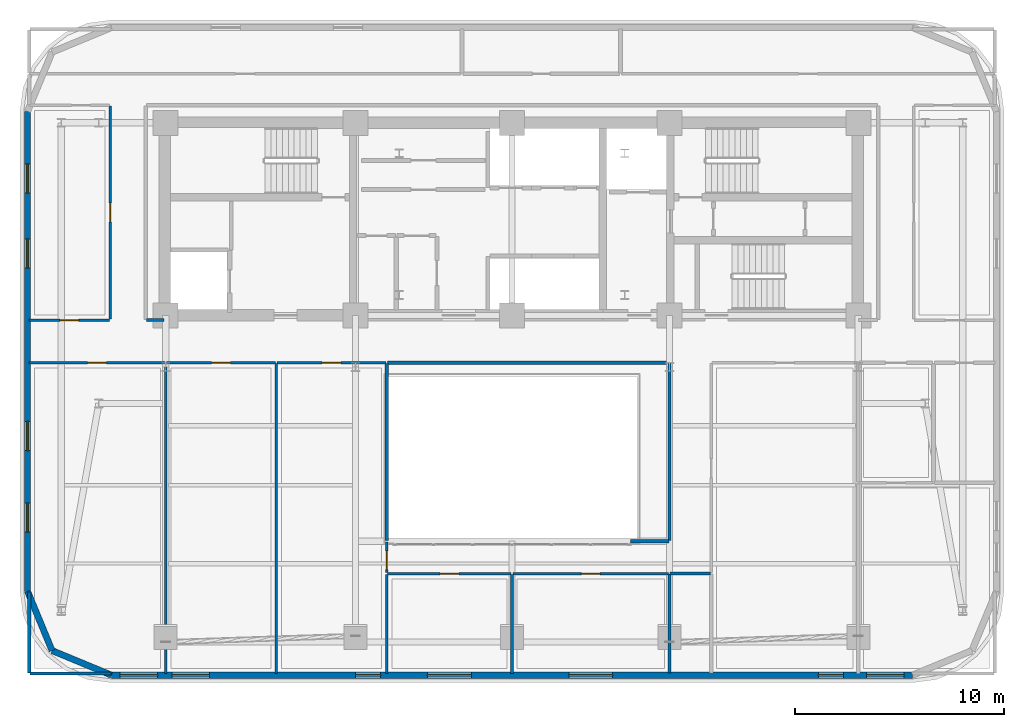
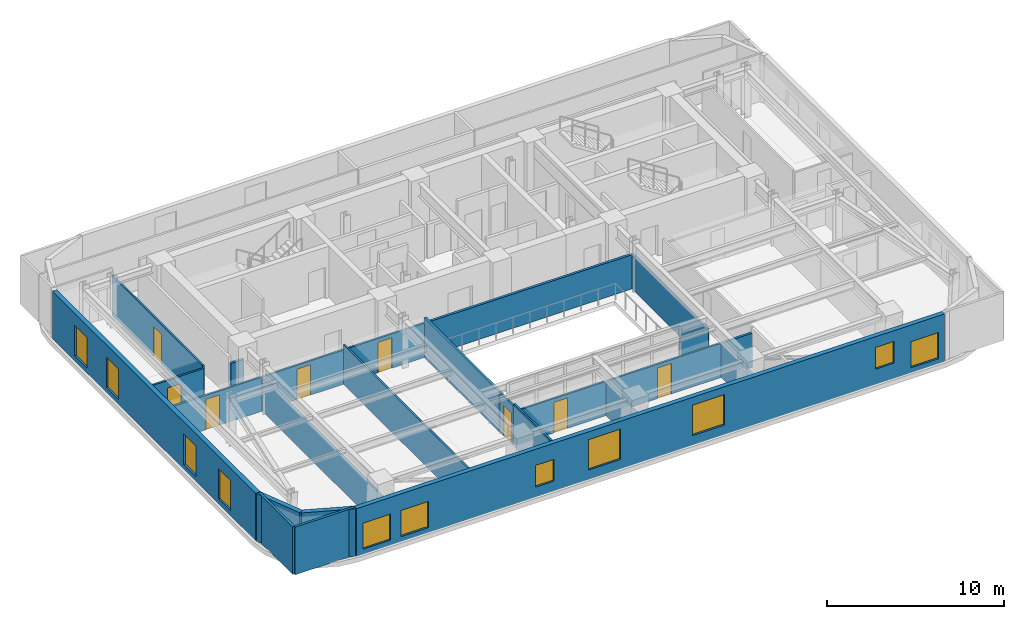
# One storey, part 5 of 11: 25 walls, 11 windows, 8 doors, 19 openings.
"""IFC4 building model written with IfcOpenShell, lengths in metres."""

import ifcopenshell
import ifcopenshell.guid

model = None  # the IFC model being written
_history = None  # IfcOwnerHistory: only IFC2X3 demands one
_inside = {}  # id of a spatial element -> (the spatial element, [elements in it])
_under = {}  # id of a project, library or spatial element -> (it, [spatial elements below it])
_declared = {}  # id of a project -> (the project, [libraries it declares])
_typed = {}  # id of a type object -> (the type object, [elements of that type])
_made_of = {}  # id of a material, layer set ... -> (it, [elements and type objects made of it])


def new_model(schema):
    """Start an empty IFC model of exactly this schema.

    Asked for "IFC4X3", IfcOpenShell would pick the latest addendum, in which some entities
    have other attributes; the version numbers below select the first issue.
    IFC2X3 requires an IfcOwnerHistory on every rooted entity: one is made here for all.
    """
    global model, _history
    if schema == "IFC4X3":
        model = ifcopenshell.file(schema_version=(4, 3, 0, 0))
    else:
        model = ifcopenshell.file(schema=schema)
    _inside.clear()
    _under.clear()
    _declared.clear()
    _typed.clear()
    _made_of.clear()
    _history = None
    if model.schema == "IFC2X3":
        org = make("IfcOrganization", Name="unknown")
        user = make(
            "IfcPersonAndOrganization",
            ThePerson=make("IfcPerson", FamilyName="unknown"),
            TheOrganization=org,
        )
        app = make(
            "IfcApplication",
            ApplicationDeveloper=org,
            Version="unknown",
            ApplicationFullName="unknown",
            ApplicationIdentifier="unknown",
        )
        _history = make(
            "IfcOwnerHistory",
            OwningUser=user,
            OwningApplication=app,
            ChangeAction="ADDED",
            CreationDate=0,
        )
    return model


def make(cls, **values):
    """One entity of the class cls with the attributes given. An attribute that is None is left unset."""
    return model.create_entity(
        cls, **{name: value for name, value in values.items() if value is not None}
    )


def rooted(cls, **values):
    """An entity with a GlobalId (a new one), such as an element, a storey or a relation."""
    return make(cls, GlobalId=ifcopenshell.guid.new(), OwnerHistory=_history, **values)


def si_unit(unit_type, name, prefix=None):
    """IfcSIUnit, for example si_unit("LENGTHUNIT", "METRE", prefix="MILLI")."""
    return make("IfcSIUnit", UnitType=unit_type, Prefix=prefix, Name=name)


def assignment(units):
    """IfcUnitAssignment: the units of a project."""
    return None if units is None else make("IfcUnitAssignment", Units=units)


def point(xyz):
    """IfcCartesianPoint."""
    return None if xyz is None else make("IfcCartesianPoint", Coordinates=xyz)


def direction(xyz):
    """IfcDirection."""
    return None if xyz is None else make("IfcDirection", DirectionRatios=xyz)


def frame(location, z_axis=None, x_axis=None):
    """IfcAxis2Placement3D, a coordinate frame: its origin and axes. An axis left out is left unset."""
    return make(
        "IfcAxis2Placement3D",
        Location=point(location),
        Axis=direction(z_axis),
        RefDirection=direction(x_axis),
    )


def frame_2d(location, x_axis=None):
    """IfcAxis2Placement2D, a coordinate frame in the plane: its origin and x axis."""
    return make(
        "IfcAxis2Placement2D", Location=point(location), RefDirection=direction(x_axis)
    )


def origin():
    """The frame at (0, 0, 0) with its axes left unset."""
    return frame((0.0, 0.0, 0.0))


def place(relative_to, where):
    """IfcLocalPlacement: puts the frame where relative to a parent placement (None: the world)."""
    return make(
        "IfcLocalPlacement", PlacementRelTo=relative_to, RelativePlacement=where
    )


def context(
    kind, dimensions, precision=None, world=None, true_north=None, identifier=None
):
    """IfcGeometricRepresentationContext, for example the 3D "Model" context."""
    return make(
        "IfcGeometricRepresentationContext",
        ContextIdentifier=identifier,
        ContextType=kind,
        CoordinateSpaceDimension=dimensions,
        Precision=precision,
        WorldCoordinateSystem=world,
        TrueNorth=true_north,
    )


def subcontext(parent, identifier, kind, view, scale=None):
    """IfcGeometricRepresentationSubContext, for example "Body" below "Model"."""
    return make(
        "IfcGeometricRepresentationSubContext",
        ContextIdentifier=identifier,
        ContextType=kind,
        ParentContext=parent,
        TargetScale=scale,
        TargetView=view,
    )


def project(units=None, contexts=None):
    """IfcProject with its units and contexts."""
    return rooted(
        "IfcProject",
        Name="project",
        RepresentationContexts=contexts,
        UnitsInContext=assignment(units),
    )


def spatial(cls, under=None, at=None, **own):
    """A site, building, storey or space (cls), placed at a placement, below another one or the project."""
    s = rooted(cls, ObjectPlacement=at, **own)
    if under is not None:
        _under.setdefault(under.id(), (under, []))[1].append(s)
    return s


def profile(cls, at=None, kind="AREA", **sizes):
    """A parametric profile (cls). Its sizes go by their IFC names, for example OverallWidth=200.0."""
    return make(cls, ProfileType=kind, Position=at, **sizes)


def rectangle(**sizes):
    """IfcRectangleProfileDef."""
    return profile("IfcRectangleProfileDef", **sizes)


def extrude(swept, where, along, depth):
    """IfcExtrudedAreaSolid: the profile swept, set in the frame where, extruded along a direction by depth."""
    return make(
        "IfcExtrudedAreaSolid",
        SweptArea=swept,
        Position=where,
        ExtrudedDirection=direction(along),
        Depth=depth,
    )


def shape(context_of_items, identifier, shape_type, items):
    """IfcShapeRepresentation: the items that make up one representation, for example the "Body"."""
    return make(
        "IfcShapeRepresentation",
        ContextOfItems=context_of_items,
        RepresentationIdentifier=identifier,
        RepresentationType=shape_type,
        Items=items,
    )


def material(Name=None, Category=None):
    """IfcMaterial."""
    return make("IfcMaterial", Name=Name, Category=Category)


def layer(
    of_material, thickness, ventilated=None, Name=None, Category=None, Priority=None
):
    """IfcMaterialLayer: one layer of a wall or slab, of a material (None: an air gap)."""
    return make(
        "IfcMaterialLayer",
        Material=of_material,
        LayerThickness=thickness,
        IsVentilated=ventilated,
        Name=Name,
        Category=Category,
        Priority=Priority,
    )


def layer_set(layers, Name=None):
    """IfcMaterialLayerSet."""
    return make("IfcMaterialLayerSet", MaterialLayers=layers, LayerSetName=Name)


def made_of(thing, what):
    """Note that an element or type object is made of a material, layer set ...; save() writes the relation."""
    if what is not None:
        _made_of.setdefault(what.id(), (what, []))[1].append(thing)
    return thing


def type_object(cls, material=None, **own):
    """A type object (cls), such as IfcWallType, which elements share."""
    return made_of(rooted(cls, **own), material)


def element(
    cls,
    number,
    at=None,
    inside=None,
    cuts=None,
    type_object=None,
    material=None,
    context=None,
    identifier="Body",
    shape_type=None,
    held_by="IfcProductDefinitionShape",
    body=None,
    shapes=None,
    **own,
):
    """One element of the class cls, such as IfcWall. Its Tag is "e" and its number.

    at: its placement. inside: the storey or other place that contains it. cuts: it is an
    opening in that element (IfcRelVoidsElement). A single representation is given by context,
    identifier, shape_type and body (its items); several are given by shapes. held_by: the class
    of the entity that holds the representations. save() writes the other relations.
    """
    e = rooted(cls, Tag="e%d" % number, ObjectPlacement=at, **own)
    if body is not None:
        shapes = [shape(context, identifier, shape_type, body)]
    if shapes is not None:
        e.Representation = make(held_by, Representations=shapes)
    if inside is not None:
        _inside.setdefault(inside.id(), (inside, []))[1].append(e)
    if cuts is not None:
        rooted(
            "IfcRelVoidsElement", RelatingBuildingElement=cuts, RelatedOpeningElement=e
        )
    if type_object is not None:
        _typed.setdefault(type_object.id(), (type_object, []))[1].append(e)
    return made_of(e, material)


def fill(opening, filler):
    """IfcRelFillsElement: the door or window that sits in an opening."""
    return rooted(
        "IfcRelFillsElement",
        RelatingOpeningElement=opening,
        RelatedBuildingElement=filler,
    )


def aggregate(whole, parts):
    """IfcRelAggregates: a whole, such as a stair, and the parts it consists of."""
    return rooted("IfcRelAggregates", RelatingObject=whole, RelatedObjects=parts)


def save(model, path):
    """Write the relations noted so far, then the file.

    IfcRelAggregates (storeys below a building ...), IfcRelContainedInSpatialStructure (elements
    in a storey), IfcRelDefinesByType, IfcRelAssociatesMaterial and IfcRelDeclares: one each for
    every whole, place, type object, material and project.
    """
    for whole, parts in _under.values():
        aggregate(whole, parts)
    for where, things in _inside.values():
        rooted(
            "IfcRelContainedInSpatialStructure",
            RelatedElements=things,
            RelatingStructure=where,
        )
    for kind, things in _typed.values():
        rooted("IfcRelDefinesByType", RelatedObjects=things, RelatingType=kind)
    for what, things in _made_of.values():
        rooted("IfcRelAssociatesMaterial", RelatedObjects=things, RelatingMaterial=what)
    for by, libraries in _declared.values():
        rooted("IfcRelDeclares", RelatingContext=by, RelatedDefinitions=libraries)
    model.write(path)


model = new_model("IFC4")

# Units and contexts
model_context = context("Model", 3, precision=1e-05, world=origin(), true_north=direction((0.0, 1.0)))
body_context = subcontext(model_context, "Body", "Model", "MODEL_VIEW")
ifc_project = project(units=[si_unit("LENGTHUNIT", "METRE"), si_unit("AREAUNIT", "SQUARE_METRE"), si_unit("VOLUMEUNIT", "CUBIC_METRE"), si_unit("PLANEANGLEUNIT", "RADIAN"), si_unit("MASSUNIT", "GRAM", prefix="KILO")], contexts=[model_context])

# Site, building, storey
site_placement = place(None, origin())
site = spatial("IfcSite", under=ifc_project, at=site_placement, CompositionType="ELEMENT")
building_placement = place(site_placement, origin())
building = spatial("IfcBuilding", under=site, at=building_placement, Name="Zarnavel Station Tower", CompositionType="ELEMENT")
storey_placement = place(building_placement, frame((0.0, 0.0, 151.89990234375)))
storey = spatial("IfcBuildingStorey", under=building, at=storey_placement, Name="L41", CompositionType="ELEMENT", Elevation=151.89990234375)

# Wall, openings, windows
ifc_material_1 = material(Name="Precast concrete C45/55 (Dark Basalt Finish)", Category="masonry")
ifc_layer_1 = layer(ifc_material_1, 0.300048828125)
ifc_layer_set_1 = layer_set([ifc_layer_1], Name="EW_BASALT_300")
wall_type_1 = type_object("IfcWallType", Name="EW_BASALT_300", PredefinedType="SOLIDWALL", material=ifc_layer_set_1)
wall_1_placement = place(storey_placement, frame((5.580078125, 14.60009765625, 0.0), z_axis=(0.0, 0.0, 1.0), x_axis=(0.0, 1.0, 0.0)))
wall_1 = element("IfcWall", 1, at=wall_1_placement, inside=storey, type_object=wall_type_1, Name="L41 Exterior Basalt Masonry Frame Wall 09", PredefinedType="SOLIDWALL", context=body_context, shape_type="SweptSolid", body=[
    extrude(rectangle(XDim=23.0, YDim=0.300048828125, at=frame_2d((11.5, 0.0))), origin(), (0.0, 0.0, 1.0), 3.2900390625),
])
opening_1_placement = place(wall_1_placement, frame((15.493408203125, 0.0, 0.340087890625)))
opening_1 = element("IfcOpeningElement", 2, at=opening_1_placement, cuts=wall_1, Name="Opening WN04", PredefinedType="OPENING", context=body_context, shape_type="SweptSolid", body=[
    extrude(rectangle(XDim=1.39990234375, YDim=2.10009765625, at=frame_2d((0.699951171875, 1.050048828125))), frame((0.0, 0.159912109375, 0.0), z_axis=(0.0, -1.0, 0.0), x_axis=(1.0, 0.0, 0.0)), (0.0, 0.0, 1.0), 0.320068359375),
])
opening_2_placement = place(wall_1_placement, frame((19.086669921875, 0.0, 0.340087890625)))
opening_2 = element("IfcOpeningElement", 3, at=opening_2_placement, cuts=wall_1, Name="Opening WN04", PredefinedType="OPENING", context=body_context, shape_type="SweptSolid", body=[
    extrude(rectangle(XDim=1.39990234375, YDim=2.10009765625, at=frame_2d((0.699951171875, 1.050048828125))), frame((0.0, 0.159912109375, 0.0), z_axis=(0.0, -1.0, 0.0), x_axis=(1.0, 0.0, 0.0)), (0.0, 0.0, 1.0), 0.320068359375),
])
opening_3_placement = place(wall_1_placement, frame((2.830078125, 0.0, 0.340087890625)))
opening_3 = element("IfcOpeningElement", 4, at=opening_3_placement, cuts=wall_1, Name="Opening WN04", PredefinedType="OPENING", context=body_context, shape_type="SweptSolid", body=[
    extrude(rectangle(XDim=1.39990234375, YDim=2.10009765625, at=frame_2d((0.699951171875, 1.050048828125))), frame((0.0, 0.159912109375, 0.0), z_axis=(0.0, -1.0, 0.0), x_axis=(1.0, 0.0, 0.0)), (0.0, 0.0, 1.0), 0.320068359375),
])
opening_4_placement = place(wall_1_placement, frame((6.739990234375, 0.0, 0.340087890625)))
opening_4 = element("IfcOpeningElement", 5, at=opening_4_placement, cuts=wall_1, Name="Opening WN04", PredefinedType="OPENING", context=body_context, shape_type="SweptSolid", body=[
    extrude(rectangle(XDim=1.39990234375, YDim=2.10009765625, at=frame_2d((0.699951171875, 1.050048828125))), frame((0.0, 0.159912109375, 0.0), z_axis=(0.0, -1.0, 0.0), x_axis=(1.0, 0.0, 0.0)), (0.0, 0.0, 1.0), 0.320068359375),
])
ifc_material_2 = material(Name="Thermally Broken Black Aluminium and Low-E Dark Glass", Category="aluminium")
window_type_1 = type_object("IfcWindowType", Name="WN_1400x2100", PartitioningType="DOUBLE_PANEL_VERTICAL", PredefinedType="WINDOW", material=ifc_material_2)
window_1_placement = place(opening_1_placement, origin())
window_1 = element("IfcWindow", 6, at=window_1_placement, inside=storey, type_object=window_type_1, Name="L41 Recessed Facade Window 01", OverallHeight=2.10009765625, OverallWidth=1.39990234375, PartitioningType="SINGLE_PANEL", PredefinedType="WINDOW", context=body_context, shape_type="SweptSolid", body=[
    extrude(rectangle(XDim=1.39990234375, YDim=2.10009765625, at=frame_2d((0.699951171875, 1.050048828125))), frame((0.0, 0.030029296875, 0.0), z_axis=(0.0, -1.0, 0.0), x_axis=(1.0, 0.0, 0.0)), (0.0, 0.0, 1.0), 0.06005859375),
])
fill(opening_1, window_1)
window_2_placement = place(opening_2_placement, origin())
window_2 = element("IfcWindow", 7, at=window_2_placement, inside=storey, type_object=window_type_1, Name="L41 Recessed Facade Window 02", OverallHeight=2.10009765625, OverallWidth=1.39990234375, PartitioningType="SINGLE_PANEL", PredefinedType="WINDOW", context=body_context, shape_type="SweptSolid", body=[
    extrude(rectangle(XDim=1.39990234375, YDim=2.10009765625, at=frame_2d((0.699951171875, 1.050048828125))), frame((0.0, 0.030029296875, 0.0), z_axis=(0.0, -1.0, 0.0), x_axis=(1.0, 0.0, 0.0)), (0.0, 0.0, 1.0), 0.06005859375),
])
fill(opening_2, window_2)
window_3_placement = place(opening_3_placement, origin())
window_3 = element("IfcWindow", 8, at=window_3_placement, inside=storey, type_object=window_type_1, Name="L41 Recessed Facade Window 03", OverallHeight=2.10009765625, OverallWidth=1.39990234375, PartitioningType="SINGLE_PANEL", PredefinedType="WINDOW", context=body_context, shape_type="SweptSolid", body=[
    extrude(rectangle(XDim=1.39990234375, YDim=2.10009765625, at=frame_2d((0.699951171875, 1.050048828125))), frame((0.0, 0.030029296875, 0.0), z_axis=(0.0, -1.0, 0.0), x_axis=(1.0, 0.0, 0.0)), (0.0, 0.0, 1.0), 0.06005859375),
])
fill(opening_3, window_3)
window_4_placement = place(opening_4_placement, origin())
window_4 = element("IfcWindow", 9, at=window_4_placement, inside=storey, type_object=window_type_1, Name="L41 Recessed Facade Window 04", OverallHeight=2.10009765625, OverallWidth=1.39990234375, PartitioningType="SINGLE_PANEL", PredefinedType="WINDOW", context=body_context, shape_type="SweptSolid", body=[
    extrude(rectangle(XDim=1.39990234375, YDim=2.10009765625, at=frame_2d((0.699951171875, 1.050048828125))), frame((0.0, 0.030029296875, 0.0), z_axis=(0.0, -1.0, 0.0), x_axis=(1.0, 0.0, 0.0)), (0.0, 0.0, 1.0), 0.06005859375),
])
fill(opening_4, window_4)

# Walls
for number, where, z_axis, x_axis, name in (
    (10, (6.75732421875, 11.75732421875, 0.0), (0.0, 0.0, 1.0), (-0.382608747773, 0.923910464346, 0.0), "L41 Exterior Basalt Masonry Frame Wall 10"),
    (11, (9.60009765625, 10.580078125, 0.0), (0.0, 0.0, 1.0), (-0.923910464346, 0.382608747773, 0.0), "L41 Exterior Basalt Masonry Frame Wall 11"),
):
    element("IfcWall", number, at=place(storey_placement, frame(where, z_axis=z_axis, x_axis=x_axis)), inside=storey, type_object=wall_type_1, Name=name, PredefinedType="SOLIDWALL", context=body_context, shape_type="SweptSolid", body=[
        extrude(rectangle(XDim=3.076904296875, YDim=0.300048828125, at=frame_2d((1.53857421875, 0.0))), origin(), (0.0, 0.0, 1.0), 3.2900390625),
    ])

# Wall, openings, windows
wall_2_placement = place(storey_placement, frame((48.0, 10.580078125, 0.0), z_axis=(0.0, 0.0, 1.0), x_axis=(-1.0, 0.0, 0.0)))
wall_2 = element("IfcWall", 12, at=wall_2_placement, inside=storey, type_object=wall_type_1, Name="L41 Exterior Basalt Masonry Frame Wall 12", PredefinedType="SOLIDWALL", context=body_context, shape_type="SweptSolid", body=[
    extrude(rectangle(XDim=38.39990234375, YDim=0.300048828125, at=frame_2d((19.199951171875, 0.0))), origin(), (0.0, 0.0, 1.0), 3.2900390625),
])
opening_5_placement = place(wall_2_placement, frame((36.18994140625, 0.0, 0.340087890625)))
opening_5 = element("IfcOpeningElement", 13, at=opening_5_placement, cuts=wall_2, Name="Opening WN02", PredefinedType="OPENING", context=body_context, shape_type="SweptSolid", body=[
    extrude(rectangle(XDim=1.800048828125, YDim=1.800048828125, at=frame_2d((0.89990234375, 0.89990234375))), frame((0.0, 0.159912109375, 0.0), z_axis=(0.0, -1.0, 0.0), x_axis=(1.0, 0.0, 0.0)), (0.0, 0.0, 1.0), 0.320068359375),
])
opening_6_placement = place(wall_2_placement, frame((33.699951171875, 0.0, 0.340087890625)))
opening_6 = element("IfcOpeningElement", 14, at=opening_6_placement, cuts=wall_2, Name="Opening WN02", PredefinedType="OPENING", context=body_context, shape_type="SweptSolid", body=[
    extrude(rectangle(XDim=1.800048828125, YDim=1.800048828125, at=frame_2d((0.89990234375, 0.89990234375))), frame((0.0, 0.159912109375, 0.0), z_axis=(0.0, -1.0, 0.0), x_axis=(1.0, 0.0, 0.0)), (0.0, 0.0, 1.0), 0.320068359375),
])
opening_7_placement = place(wall_2_placement, frame((25.5, 0.0, 0.679931640625)))
opening_7 = element("IfcOpeningElement", 15, at=opening_7_placement, cuts=wall_2, Name="Opening WN08", PredefinedType="OPENING", context=body_context, shape_type="SweptSolid", body=[
    extrude(rectangle(XDim=1.199951171875, YDim=1.5, at=frame_2d((0.60009765625, 0.75))), frame((0.0, 0.159912109375, 0.0), z_axis=(0.0, -1.0, 0.0), x_axis=(1.0, 0.0, 0.0)), (0.0, 0.0, 1.0), 0.320068359375),
])
opening_8_placement = place(wall_2_placement, frame((21.14990234375, 0.0, 0.64990234375)))
opening_8 = element("IfcOpeningElement", 16, at=opening_8_placement, cuts=wall_2, Name="Opening WN05", PredefinedType="OPENING", context=body_context, shape_type="SweptSolid", body=[
    extrude(rectangle(XDim=2.10009765625, YDim=2.10009765625, at=frame_2d((1.050048828125, 1.050048828125))), frame((0.0, 0.159912109375, 0.0), z_axis=(0.0, -1.0, 0.0), x_axis=(1.0, 0.0, 0.0)), (0.0, 0.0, 1.0), 0.320068359375),
])
opening_9_placement = place(wall_2_placement, frame((14.375, 0.0, 0.64990234375)))
opening_9 = element("IfcOpeningElement", 17, at=opening_9_placement, cuts=wall_2, Name="Opening WN05", PredefinedType="OPENING", context=body_context, shape_type="SweptSolid", body=[
    extrude(rectangle(XDim=2.10009765625, YDim=2.10009765625, at=frame_2d((1.050048828125, 1.050048828125))), frame((0.0, 0.159912109375, 0.0), z_axis=(0.0, -1.0, 0.0), x_axis=(1.0, 0.0, 0.0)), (0.0, 0.0, 1.0), 0.320068359375),
])
opening_10_placement = place(wall_2_placement, frame((3.320068359375, 0.0, 1.050048828125)))
opening_10 = element("IfcOpeningElement", 18, at=opening_10_placement, cuts=wall_2, Name="Opening WN08", PredefinedType="OPENING", context=body_context, shape_type="SweptSolid", body=[
    extrude(rectangle(XDim=1.199951171875, YDim=1.5, at=frame_2d((0.60009765625, 0.75))), frame((0.0, 0.159912109375, 0.0), z_axis=(0.0, -1.0, 0.0), x_axis=(1.0, 0.0, 0.0)), (0.0, 0.0, 1.0), 0.320068359375),
])
opening_11_placement = place(wall_2_placement, frame((0.409912109375, 0.0, 0.340087890625)))
opening_11 = element("IfcOpeningElement", 19, at=opening_11_placement, cuts=wall_2, Name="Opening WN02", PredefinedType="OPENING", context=body_context, shape_type="SweptSolid", body=[
    extrude(rectangle(XDim=1.800048828125, YDim=1.800048828125, at=frame_2d((0.89990234375, 0.89990234375))), frame((0.0, 0.159912109375, 0.0), z_axis=(0.0, -1.0, 0.0), x_axis=(1.0, 0.0, 0.0)), (0.0, 0.0, 1.0), 0.320068359375),
])
ifc_material_3 = material(Name="Thermally Broken Black Aluminium and Low-E Dark Glass", Category="aluminium")
window_type_2 = type_object("IfcWindowType", Name="WN_1200x1500", PartitioningType="SINGLE_PANEL", PredefinedType="WINDOW", material=ifc_material_3)
window_5_placement = place(opening_7_placement, origin())
window_5 = element("IfcWindow", 20, at=window_5_placement, inside=storey, type_object=window_type_2, Name="L41 Recessed Facade Window 03", OverallHeight=1.5, OverallWidth=1.199951171875, PartitioningType="SINGLE_PANEL", PredefinedType="WINDOW", context=body_context, shape_type="SweptSolid", body=[
    extrude(rectangle(XDim=1.199951171875, YDim=1.5, at=frame_2d((0.60009765625, 0.75))), frame((0.0, 0.030029296875, 0.0), z_axis=(0.0, -1.0, 0.0), x_axis=(1.0, 0.0, 0.0)), (0.0, 0.0, 1.0), 0.06005859375),
])
fill(opening_7, window_5)
window_6_placement = place(opening_10_placement, origin())
window_6 = element("IfcWindow", 21, at=window_6_placement, inside=storey, type_object=window_type_2, Name="L41 Recessed Facade Window 06", OverallHeight=1.5, OverallWidth=1.199951171875, PartitioningType="SINGLE_PANEL", PredefinedType="WINDOW", context=body_context, shape_type="SweptSolid", body=[
    extrude(rectangle(XDim=1.199951171875, YDim=1.5, at=frame_2d((0.60009765625, 0.75))), frame((0.0, 0.030029296875, 0.0), z_axis=(0.0, -1.0, 0.0), x_axis=(1.0, 0.0, 0.0)), (0.0, 0.0, 1.0), 0.06005859375),
])
fill(opening_10, window_6)
ifc_material_4 = material(Name="Thermally Broken Black Aluminium and Low-E Dark Glass", Category="aluminium")
window_type_3 = type_object("IfcWindowType", Name="WN_1800x1800", PartitioningType="DOUBLE_PANEL_VERTICAL", PredefinedType="WINDOW", material=ifc_material_4)
window_7_placement = place(opening_5_placement, origin())
window_7 = element("IfcWindow", 22, at=window_7_placement, inside=storey, type_object=window_type_3, Name="L41 Recessed Facade Window 01", OverallHeight=1.800048828125, OverallWidth=1.800048828125, PartitioningType="SINGLE_PANEL", PredefinedType="WINDOW", context=body_context, shape_type="SweptSolid", body=[
    extrude(rectangle(XDim=1.800048828125, YDim=1.800048828125, at=frame_2d((0.89990234375, 0.89990234375))), frame((0.0, 0.030029296875, 0.0), z_axis=(0.0, -1.0, 0.0), x_axis=(1.0, 0.0, 0.0)), (0.0, 0.0, 1.0), 0.06005859375),
])
fill(opening_5, window_7)
window_8_placement = place(opening_6_placement, origin())
window_8 = element("IfcWindow", 23, at=window_8_placement, inside=storey, type_object=window_type_3, Name="L41 Recessed Facade Window 02", OverallHeight=1.800048828125, OverallWidth=1.800048828125, PartitioningType="SINGLE_PANEL", PredefinedType="WINDOW", context=body_context, shape_type="SweptSolid", body=[
    extrude(rectangle(XDim=1.800048828125, YDim=1.800048828125, at=frame_2d((0.89990234375, 0.89990234375))), frame((0.0, 0.030029296875, 0.0), z_axis=(0.0, -1.0, 0.0), x_axis=(1.0, 0.0, 0.0)), (0.0, 0.0, 1.0), 0.06005859375),
])
fill(opening_6, window_8)
window_9_placement = place(opening_11_placement, origin())
window_9 = element("IfcWindow", 24, at=window_9_placement, inside=storey, type_object=window_type_3, Name="L41 Recessed Facade Window 07", OverallHeight=1.800048828125, OverallWidth=1.800048828125, PartitioningType="SINGLE_PANEL", PredefinedType="WINDOW", context=body_context, shape_type="SweptSolid", body=[
    extrude(rectangle(XDim=1.800048828125, YDim=1.800048828125, at=frame_2d((0.89990234375, 0.89990234375))), frame((0.0, 0.030029296875, 0.0), z_axis=(0.0, -1.0, 0.0), x_axis=(1.0, 0.0, 0.0)), (0.0, 0.0, 1.0), 0.06005859375),
])
fill(opening_11, window_9)
ifc_material_5 = material(Name="Thermally Broken Black Aluminium and Low-E Dark Glass", Category="aluminium")
window_type_4 = type_object("IfcWindowType", Name="WN_2100x2100", PartitioningType="TRIPLE_PANEL_VERTICAL", PredefinedType="WINDOW", material=ifc_material_5)
window_10_placement = place(opening_8_placement, origin())
window_10 = element("IfcWindow", 25, at=window_10_placement, inside=storey, type_object=window_type_4, Name="L41 Recessed Facade Window 04", OverallHeight=2.10009765625, OverallWidth=2.10009765625, PartitioningType="SINGLE_PANEL", PredefinedType="WINDOW", context=body_context, shape_type="SweptSolid", body=[
    extrude(rectangle(XDim=2.10009765625, YDim=2.10009765625, at=frame_2d((1.050048828125, 1.050048828125))), frame((0.0, 0.030029296875, 0.0), z_axis=(0.0, -1.0, 0.0), x_axis=(1.0, 0.0, 0.0)), (0.0, 0.0, 1.0), 0.06005859375),
])
fill(opening_8, window_10)
window_11_placement = place(opening_9_placement, origin())
window_11 = element("IfcWindow", 26, at=window_11_placement, inside=storey, type_object=window_type_4, Name="L41 Recessed Facade Window 05", OverallHeight=2.10009765625, OverallWidth=2.10009765625, PartitioningType="SINGLE_PANEL", PredefinedType="WINDOW", context=body_context, shape_type="SweptSolid", body=[
    extrude(rectangle(XDim=2.10009765625, YDim=2.10009765625, at=frame_2d((1.050048828125, 1.050048828125))), frame((0.0, 0.030029296875, 0.0), z_axis=(0.0, -1.0, 0.0), x_axis=(1.0, 0.0, 0.0)), (0.0, 0.0, 1.0), 0.06005859375),
])
fill(opening_9, window_11)

# Walls
ifc_material_6 = material(Name="Gypsum Twin-Stud Acoustic Fire Partition", Category="concrete")
ifc_layer_2 = layer(ifc_material_6, 0.159912109375)
ifc_layer_set_2 = layer_set([ifc_layer_2], Name="PT_DEMISE_160")
wall_type_2 = type_object("IfcWallType", Name="PT_DEMISE_160", PredefinedType="PARTITIONING", material=ifc_layer_set_2)
wall_3_placement = place(storey_placement, frame((22.830078125, 25.550048828125, 0.0), z_axis=(0.0, 0.0, 1.0), x_axis=(1.0, 0.0, 0.0)))
element("IfcWall", 27, at=wall_3_placement, inside=storey, type_object=wall_type_2, Name="L41 Enclosure Wall COR-S", PredefinedType="PARTITIONING", context=body_context, shape_type="SweptSolid", body=[
    extrude(rectangle(XDim=13.489990234375, YDim=0.159912109375, at=frame_2d((6.7451171875, 0.0))), origin(), (0.0, 0.0, 1.0), 2.360107421875),
])
wall_4_placement = place(storey_placement, frame((11.280029296875, 27.60009765625, 0.0), z_axis=(0.0, 0.0, 1.0), x_axis=(1.0, 0.0, 0.0)))
element("IfcWall", 28, at=wall_4_placement, inside=storey, type_object=wall_type_2, Name="L41 Enclosure Wall COR-S", PredefinedType="PARTITIONING", context=body_context, shape_type="SweptSolid", body=[
    extrude(rectangle(XDim=0.840087890625, YDim=0.159912109375, at=frame_2d((0.419921875, 0.0))), origin(), (0.0, 0.0, 1.0), 2.360107421875),
])
wall_5_placement = place(storey_placement, frame((36.3798828125, 15.449951171875, 0.0), z_axis=(0.0, 0.0, 1.0), x_axis=(1.0, 0.0, 0.0)))
element("IfcWall", 29, at=wall_5_placement, inside=storey, type_object=wall_type_2, Name="L41 Enclosure Wall COR-AE", PredefinedType="PARTITIONING", context=body_context, shape_type="SweptSolid", body=[
    extrude(rectangle(XDim=1.940185546875, YDim=0.159912109375, at=frame_2d((0.97021484375, 0.0))), origin(), (0.0, 0.0, 1.0), 2.360107421875),
])
wall_6_placement = place(storey_placement, frame((36.35009765625, 17.030029296875, 0.0), z_axis=(0.0, 0.0, 1.0), x_axis=(0.0, 1.0, 0.0)))
element("IfcWall", 30, at=wall_6_placement, inside=storey, type_object=wall_type_2, Name="L41 Enclosure Wall COR-AE", PredefinedType="PARTITIONING", context=body_context, shape_type="SweptSolid", body=[
    extrude(rectangle(XDim=8.489990234375, YDim=0.159912109375, at=frame_2d((4.2451171875, 0.0))), origin(), (0.0, 0.0, 1.0), 2.360107421875),
])
wall_7_placement = place(storey_placement, frame((34.47998046875, 17.0, 0.0), z_axis=(0.0, 0.0, 1.0), x_axis=(1.0, 0.0, 0.0)))
element("IfcWall", 31, at=wall_7_placement, inside=storey, type_object=wall_type_2, Name="L41 Enclosure Wall COR-AS", PredefinedType="PARTITIONING", context=body_context, shape_type="SweptSolid", body=[
    extrude(rectangle(XDim=1.840087890625, YDim=0.159912109375, at=frame_2d((0.919921875, 0.0))), origin(), (0.0, 0.0, 1.0), 2.360107421875),
])
for number, where, z_axis, x_axis, name in (
    (32, (5.68994140625, 10.659912109375, 0.0), (0.0, 0.0, 1.0), (1.0, 0.0, 0.0), "L41 Enclosure Wall L41LIB"),
    (33, (5.659912109375, 10.68994140625, 0.0), (0.0, 0.0, 1.0), (0.0, 1.0, 0.0), "L41 Enclosure Wall L41LIB"),
):
    element("IfcWall", number, at=place(storey_placement, frame(where, z_axis=z_axis, x_axis=x_axis)), inside=storey, type_object=wall_type_2, Name=name, PredefinedType="PARTITIONING", context=body_context, shape_type="SweptSolid", body=[
        extrude(rectangle(XDim=3.880126953125, YDim=0.159912109375, at=frame_2d((1.93994140625, 0.0))), origin(), (0.0, 0.0, 1.0), 3.2900390625),
    ])
wall_8_placement = place(storey_placement, frame((22.800048828125, 17.030029296875, 0.0), z_axis=(0.0, 0.0, 1.0), x_axis=(0.0, 1.0, 0.0)))
element("IfcWall", 34, at=wall_8_placement, inside=storey, type_object=wall_type_2, Name="L41 Enclosure Wall L41OFF", PredefinedType="PARTITIONING", context=body_context, shape_type="SweptSolid", body=[
    extrude(rectangle(XDim=8.489990234375, YDim=0.159912109375, at=frame_2d((4.2451171875, 0.0))), origin(), (0.0, 0.0, 1.0), 2.72998046875),
])
wall_9_placement = place(storey_placement, frame((36.35009765625, 10.68994140625, 0.0), z_axis=(0.0, 0.0, 1.0), x_axis=(0.0, 1.0, 0.0)))
element("IfcWall", 35, at=wall_9_placement, inside=storey, type_object=wall_type_2, Name="L41 Enclosure Wall L41BAR", PredefinedType="PARTITIONING", context=body_context, shape_type="SweptSolid", body=[
    extrude(rectangle(XDim=4.72998046875, YDim=0.159912109375, at=frame_2d((2.364990234375, 0.0))), origin(), (0.0, 0.0, 1.0), 2.360107421875),
])

# Wall, opening, door
ifc_material_7 = material(Name="Gypsum Metal-Stud Interior Partition", Category="concrete")
ifc_layer_3 = layer(ifc_material_7, 0.1201171875)
ifc_layer_set_3 = layer_set([ifc_layer_3], Name="PT_ROOM_120")
wall_type_3 = type_object("IfcWallType", Name="PT_ROOM_120", PredefinedType="PARTITIONING", material=ifc_layer_set_3)
wall_10_placement = place(storey_placement, frame((5.659912109375, 27.60009765625, 0.0), z_axis=(0.0, 0.0, 1.0), x_axis=(1.0, 0.0, 0.0)))
wall_10 = element("IfcWall", 36, at=wall_10_placement, inside=storey, type_object=wall_type_3, Name="L41 Partition COR-S-FNW", PredefinedType="PARTITIONING", context=body_context, shape_type="SweptSolid", body=[
    extrude(rectangle(XDim=3.85009765625, YDim=0.1201171875, at=frame_2d((1.925048828125, 0.0))), origin(), (0.0, 0.0, 1.0), 2.6201171875),
])
opening_12_placement = place(wall_10_placement, frame((1.47509765625, 0.0, 0.0)))
opening_12 = element("IfcOpeningElement", 37, at=opening_12_placement, cuts=wall_10, Name="Opening ID01", PredefinedType="OPENING", context=body_context, shape_type="SweptSolid", body=[
    extrude(rectangle(XDim=0.89990234375, YDim=2.10009765625, at=frame_2d((0.449951171875, 1.050048828125))), frame((0.0, 0.070068359375, 0.0), z_axis=(0.0, -1.0, 0.0), x_axis=(1.0, 0.0, 0.0)), (0.0, 0.0, 1.0), 0.14013671875),
])
ifc_material_8 = material(Name="Painted Galvanised Steel and Hardwood Leaf", Category="steel")
door_type = type_object("IfcDoorType", Name="ID_ROOM_900", OperationType="NOTDEFINED", PredefinedType="DOOR", material=ifc_material_8)
door_1_placement = place(opening_12_placement, origin())
door_1 = element("IfcDoor", 38, at=door_1_placement, inside=storey, type_object=door_type, Name="L41 Door COR-S-FNW", OperationType="SINGLE_SWING_RIGHT", OverallHeight=2.10009765625, OverallWidth=0.89990234375, PredefinedType="DOOR", context=body_context, shape_type="SweptSolid", body=[
    extrude(rectangle(XDim=0.89990234375, YDim=2.10009765625, at=frame_2d((0.449951171875, 1.050048828125))), frame((0.0, 0.02490234375, 0.0), z_axis=(0.0, -1.0, 0.0), x_axis=(1.0, 0.0, 0.0)), (0.0, 0.0, 1.0), 0.050048828125),
])
fill(opening_12, door_1)

wall_11_placement = place(storey_placement, frame((5.659912109375, 25.550048828125, 0.0), z_axis=(0.0, 0.0, 1.0), x_axis=(1.0, 0.0, 0.0)))
wall_11 = element("IfcWall", 39, at=wall_11_placement, inside=storey, type_object=wall_type_3, Name="L41 Partition COR-S-L41LIB", PredefinedType="PARTITIONING", context=body_context, shape_type="SweptSolid", body=[
    extrude(rectangle(XDim=6.5, YDim=0.1201171875, at=frame_2d((3.25, 0.0))), origin(), (0.0, 0.0, 1.0), 2.360107421875),
])
opening_13_placement = place(wall_11_placement, frame((2.800048828125, 0.0, 0.0)))
opening_13 = element("IfcOpeningElement", 40, at=opening_13_placement, cuts=wall_11, Name="Opening ID01", PredefinedType="OPENING", context=body_context, shape_type="SweptSolid", body=[
    extrude(rectangle(XDim=0.89990234375, YDim=2.10009765625, at=frame_2d((0.449951171875, 1.050048828125))), frame((0.0, 0.070068359375, 0.0), z_axis=(0.0, -1.0, 0.0), x_axis=(1.0, 0.0, 0.0)), (0.0, 0.0, 1.0), 0.14013671875),
])
door_2_placement = place(opening_13_placement, origin())
door_2 = element("IfcDoor", 41, at=door_2_placement, inside=storey, type_object=door_type, Name="L41 Door COR-S-L41LIB", OperationType="SINGLE_SWING_RIGHT", OverallHeight=2.10009765625, OverallWidth=0.89990234375, PredefinedType="DOOR", context=body_context, shape_type="SweptSolid", body=[
    extrude(rectangle(XDim=0.89990234375, YDim=2.10009765625, at=frame_2d((0.449951171875, 1.050048828125))), frame((0.0, 0.02490234375, 0.0), z_axis=(0.0, -1.0, 0.0), x_axis=(1.0, 0.0, 0.0)), (0.0, 0.0, 1.0), 0.050048828125),
])
fill(opening_13, door_2)

wall_12_placement = place(storey_placement, frame((12.239990234375, 25.550048828125, 0.0), z_axis=(0.0, 0.0, 1.0), x_axis=(1.0, 0.0, 0.0)))
wall_12 = element("IfcWall", 42, at=wall_12_placement, inside=storey, type_object=wall_type_3, Name="L41 Partition COR-S-L41BRD", PredefinedType="PARTITIONING", context=body_context, shape_type="SweptSolid", body=[
    extrude(rectangle(XDim=5.219970703125, YDim=0.1201171875, at=frame_2d((2.60986328125, 0.0))), origin(), (0.0, 0.0, 1.0), 2.360107421875),
])
opening_14_placement = place(wall_12_placement, frame((2.159912109375, 0.0, 0.0)))
opening_14 = element("IfcOpeningElement", 43, at=opening_14_placement, cuts=wall_12, Name="Opening ID01", PredefinedType="OPENING", context=body_context, shape_type="SweptSolid", body=[
    extrude(rectangle(XDim=0.89990234375, YDim=2.10009765625, at=frame_2d((0.449951171875, 1.050048828125))), frame((0.0, 0.070068359375, 0.0), z_axis=(0.0, -1.0, 0.0), x_axis=(1.0, 0.0, 0.0)), (0.0, 0.0, 1.0), 0.14013671875),
])
door_3_placement = place(opening_14_placement, origin())
door_3 = element("IfcDoor", 44, at=door_3_placement, inside=storey, type_object=door_type, Name="L41 Door COR-S-L41BRD", OperationType="SINGLE_SWING_LEFT", OverallHeight=2.10009765625, OverallWidth=0.89990234375, PredefinedType="DOOR", context=body_context, shape_type="SweptSolid", body=[
    extrude(rectangle(XDim=0.89990234375, YDim=2.10009765625, at=frame_2d((0.449951171875, 1.050048828125))), frame((0.0, 0.02490234375, 0.0), z_axis=(0.0, -1.0, 0.0), x_axis=(1.0, 0.0, 0.0)), (0.0, 0.0, 1.0), 0.050048828125),
])
fill(opening_14, door_3)

wall_13_placement = place(storey_placement, frame((17.5400390625, 25.550048828125, 0.0), z_axis=(0.0, 0.0, 1.0), x_axis=(1.0, 0.0, 0.0)))
wall_13 = element("IfcWall", 45, at=wall_13_placement, inside=storey, type_object=wall_type_3, Name="L41 Partition COR-S-L41OFF", PredefinedType="PARTITIONING", context=body_context, shape_type="SweptSolid", body=[
    extrude(rectangle(XDim=5.219970703125, YDim=0.1201171875, at=frame_2d((2.60986328125, 0.0))), origin(), (0.0, 0.0, 1.0), 2.360107421875),
])
opening_15_placement = place(wall_13_placement, frame((2.159912109375, 0.0, 0.0)))
opening_15 = element("IfcOpeningElement", 46, at=opening_15_placement, cuts=wall_13, Name="Opening ID01", PredefinedType="OPENING", context=body_context, shape_type="SweptSolid", body=[
    extrude(rectangle(XDim=0.89990234375, YDim=2.10009765625, at=frame_2d((0.449951171875, 1.050048828125))), frame((0.0, 0.070068359375, 0.0), z_axis=(0.0, -1.0, 0.0), x_axis=(1.0, 0.0, 0.0)), (0.0, 0.0, 1.0), 0.14013671875),
])
door_4_placement = place(opening_15_placement, origin())
door_4 = element("IfcDoor", 47, at=door_4_placement, inside=storey, type_object=door_type, Name="L41 Door COR-S-L41OFF", OperationType="SINGLE_SWING_RIGHT", OverallHeight=2.10009765625, OverallWidth=0.89990234375, PredefinedType="DOOR", context=body_context, shape_type="SweptSolid", body=[
    extrude(rectangle(XDim=0.89990234375, YDim=2.10009765625, at=frame_2d((0.449951171875, 1.050048828125))), frame((0.0, 0.02490234375, 0.0), z_axis=(0.0, -1.0, 0.0), x_axis=(1.0, 0.0, 0.0)), (0.0, 0.0, 1.0), 0.050048828125),
])
fill(opening_15, door_4)

wall_14_placement = place(storey_placement, frame((9.550048828125, 27.639892578125, 0.0), z_axis=(0.0, 0.0, 1.0), x_axis=(0.0, 1.0, 0.0)))
wall_14 = element("IfcWall", 48, at=wall_14_placement, inside=storey, type_object=wall_type_3, Name="L41 Partition COR-W-FNW", PredefinedType="PARTITIONING", context=body_context, shape_type="SweptSolid", body=[
    extrude(rectangle(XDim=10.22021484375, YDim=0.1201171875, at=frame_2d((5.110107421875, 0.0))), origin(), (0.0, 0.0, 1.0), 2.77001953125),
])
opening_16_placement = place(wall_14_placement, frame((4.659912109375, 0.0, 0.0)))
opening_16 = element("IfcOpeningElement", 49, at=opening_16_placement, cuts=wall_14, Name="Opening ID01", PredefinedType="OPENING", context=body_context, shape_type="SweptSolid", body=[
    extrude(rectangle(XDim=0.89990234375, YDim=2.10009765625, at=frame_2d((0.449951171875, 1.050048828125))), frame((0.0, 0.070068359375, 0.0), z_axis=(0.0, -1.0, 0.0), x_axis=(1.0, 0.0, 0.0)), (0.0, 0.0, 1.0), 0.14013671875),
])
door_5_placement = place(opening_16_placement, origin())
door_5 = element("IfcDoor", 50, at=door_5_placement, inside=storey, type_object=door_type, Name="L41 Door COR-W-FNW", OperationType="SINGLE_SWING_RIGHT", OverallHeight=2.10009765625, OverallWidth=0.89990234375, PredefinedType="DOOR", context=body_context, shape_type="SweptSolid", body=[
    extrude(rectangle(XDim=0.89990234375, YDim=2.10009765625, at=frame_2d((0.449951171875, 1.050048828125))), frame((0.0, 0.02490234375, 0.0), z_axis=(0.0, -1.0, 0.0), x_axis=(1.0, 0.0, 0.0)), (0.0, 0.0, 1.0), 0.050048828125),
])
fill(opening_16, door_5)

wall_15_placement = place(storey_placement, frame((22.800048828125, 15.489990234375, 0.0), z_axis=(0.0, 0.0, 1.0), x_axis=(0.0, 1.0, 0.0)))
wall_15 = element("IfcWall", 51, at=wall_15_placement, inside=storey, type_object=wall_type_3, Name="L41 Partition COR-AS-L41OFF", PredefinedType="PARTITIONING", context=body_context, shape_type="SweptSolid", body=[
    extrude(rectangle(XDim=1.469970703125, YDim=0.1201171875, at=frame_2d((0.73486328125, 0.0))), origin(), (0.0, 0.0, 1.0), 2.72998046875),
])
opening_17_placement = place(wall_15_placement, frame((0.152099609375, 0.0, 0.0)))
opening_17 = element("IfcOpeningElement", 52, at=opening_17_placement, cuts=wall_15, Name="Opening ID01", PredefinedType="OPENING", context=body_context, shape_type="SweptSolid", body=[
    extrude(rectangle(XDim=0.89990234375, YDim=2.10009765625, at=frame_2d((0.449951171875, 1.050048828125))), frame((0.0, 0.070068359375, 0.0), z_axis=(0.0, -1.0, 0.0), x_axis=(1.0, 0.0, 0.0)), (0.0, 0.0, 1.0), 0.14013671875),
])
door_6_placement = place(opening_17_placement, origin())
door_6 = element("IfcDoor", 53, at=door_6_placement, inside=storey, type_object=door_type, Name="L41 Door COR-AS-L41OFF", OperationType="SINGLE_SWING_RIGHT", OverallHeight=2.10009765625, OverallWidth=0.89990234375, PredefinedType="DOOR", context=body_context, shape_type="SweptSolid", body=[
    extrude(rectangle(XDim=0.89990234375, YDim=2.10009765625, at=frame_2d((0.449951171875, 1.050048828125))), frame((0.0, 0.02490234375, 0.0), z_axis=(0.0, -1.0, 0.0), x_axis=(1.0, 0.0, 0.0)), (0.0, 0.0, 1.0), 0.050048828125),
])
fill(opening_17, door_6)

wall_16_placement = place(storey_placement, frame((22.840087890625, 15.449951171875, 0.0), z_axis=(0.0, 0.0, 1.0), x_axis=(1.0, 0.0, 0.0)))
wall_16 = element("IfcWall", 54, at=wall_16_placement, inside=storey, type_object=wall_type_3, Name="L41 Partition COR-AS-L41TEA", PredefinedType="PARTITIONING", context=body_context, shape_type="SweptSolid", body=[
    extrude(rectangle(XDim=5.919921875, YDim=0.1201171875, at=frame_2d((2.9599609375, 0.0))), origin(), (0.0, 0.0, 1.0), 2.360107421875),
])
opening_18_placement = place(wall_16_placement, frame((2.510009765625, 0.0, 0.0)))
opening_18 = element("IfcOpeningElement", 55, at=opening_18_placement, cuts=wall_16, Name="Opening ID01", PredefinedType="OPENING", context=body_context, shape_type="SweptSolid", body=[
    extrude(rectangle(XDim=0.89990234375, YDim=2.10009765625, at=frame_2d((0.449951171875, 1.050048828125))), frame((0.0, 0.070068359375, 0.0), z_axis=(0.0, -1.0, 0.0), x_axis=(1.0, 0.0, 0.0)), (0.0, 0.0, 1.0), 0.14013671875),
])
door_7_placement = place(opening_18_placement, origin())
door_7 = element("IfcDoor", 56, at=door_7_placement, inside=storey, type_object=door_type, Name="L41 Door COR-AS-L41TEA", OperationType="SINGLE_SWING_LEFT", OverallHeight=2.10009765625, OverallWidth=0.89990234375, PredefinedType="DOOR", context=body_context, shape_type="SweptSolid", body=[
    extrude(rectangle(XDim=0.89990234375, YDim=2.10009765625, at=frame_2d((0.449951171875, 1.050048828125))), frame((0.0, 0.02490234375, 0.0), z_axis=(0.0, -1.0, 0.0), x_axis=(1.0, 0.0, 0.0)), (0.0, 0.0, 1.0), 0.050048828125),
])
fill(opening_18, door_7)

wall_17_placement = place(storey_placement, frame((28.840087890625, 15.449951171875, 0.0), z_axis=(0.0, 0.0, 1.0), x_axis=(1.0, 0.0, 0.0)))
wall_17 = element("IfcWall", 57, at=wall_17_placement, inside=storey, type_object=wall_type_3, Name="L41 Partition COR-AS-L41BAR", PredefinedType="PARTITIONING", context=body_context, shape_type="SweptSolid", body=[
    extrude(rectangle(XDim=7.469970703125, YDim=0.1201171875, at=frame_2d((3.73486328125, 0.0))), origin(), (0.0, 0.0, 1.0), 2.360107421875),
])
opening_19_placement = place(wall_17_placement, frame((3.284912109375, 0.0, 0.0)))
opening_19 = element("IfcOpeningElement", 58, at=opening_19_placement, cuts=wall_17, Name="Opening ID01", PredefinedType="OPENING", context=body_context, shape_type="SweptSolid", body=[
    extrude(rectangle(XDim=0.89990234375, YDim=2.10009765625, at=frame_2d((0.449951171875, 1.050048828125))), frame((0.0, 0.070068359375, 0.0), z_axis=(0.0, -1.0, 0.0), x_axis=(1.0, 0.0, 0.0)), (0.0, 0.0, 1.0), 0.14013671875),
])
door_8_placement = place(opening_19_placement, origin())
door_8 = element("IfcDoor", 59, at=door_8_placement, inside=storey, type_object=door_type, Name="L41 Door COR-AS-L41BAR", OperationType="SINGLE_SWING_RIGHT", OverallHeight=2.10009765625, OverallWidth=0.89990234375, PredefinedType="DOOR", context=body_context, shape_type="SweptSolid", body=[
    extrude(rectangle(XDim=0.89990234375, YDim=2.10009765625, at=frame_2d((0.449951171875, 1.050048828125))), frame((0.0, 0.02490234375, 0.0), z_axis=(0.0, -1.0, 0.0), x_axis=(1.0, 0.0, 0.0)), (0.0, 0.0, 1.0), 0.050048828125),
])
fill(opening_19, door_8)

# Walls
wall_18_placement = place(storey_placement, frame((12.199951171875, 10.659912109375, 0.0), z_axis=(0.0, 0.0, 1.0), x_axis=(0.0, 1.0, 0.0)))
element("IfcWall", 60, at=wall_18_placement, inside=storey, type_object=wall_type_3, Name="L41 Partition L41LIB-L41BRD", PredefinedType="PARTITIONING", context=body_context, shape_type="SweptSolid", body=[
    extrude(rectangle(XDim=14.85009765625, YDim=0.1201171875, at=frame_2d((7.425048828125, 0.0))), origin(), (0.0, 0.0, 1.0), 2.360107421875),
])
wall_19_placement = place(storey_placement, frame((17.5, 10.659912109375, 0.0), z_axis=(0.0, 0.0, 1.0), x_axis=(0.0, 1.0, 0.0)))
element("IfcWall", 61, at=wall_19_placement, inside=storey, type_object=wall_type_3, Name="L41 Partition L41BRD-L41OFF", PredefinedType="PARTITIONING", context=body_context, shape_type="SweptSolid", body=[
    extrude(rectangle(XDim=14.85009765625, YDim=0.1201171875, at=frame_2d((7.425048828125, 0.0))), origin(), (0.0, 0.0, 1.0), 2.72021484375),
])
wall_20_placement = place(storey_placement, frame((22.800048828125, 10.659912109375, 0.0), z_axis=(0.0, 0.0, 1.0), x_axis=(0.0, 1.0, 0.0)))
element("IfcWall", 62, at=wall_20_placement, inside=storey, type_object=wall_type_3, Name="L41 Partition L41OFF-L41TEA", PredefinedType="PARTITIONING", context=body_context, shape_type="SweptSolid", body=[
    extrude(rectangle(XDim=4.75, YDim=0.1201171875, at=frame_2d((2.375, 0.0))), origin(), (0.0, 0.0, 1.0), 2.91015625),
])
wall_21_placement = place(storey_placement, frame((28.800048828125, 10.659912109375, 0.0), z_axis=(0.0, 0.0, 1.0), x_axis=(0.0, 1.0, 0.0)))
element("IfcWall", 63, at=wall_21_placement, inside=storey, type_object=wall_type_3, Name="L41 Partition L41TEA-L41BAR", PredefinedType="PARTITIONING", context=body_context, shape_type="SweptSolid", body=[
    extrude(rectangle(XDim=4.75, YDim=0.1201171875, at=frame_2d((2.375, 0.0))), origin(), (0.0, 0.0, 1.0), 2.360107421875),
])

save(model, "model.ifc")
